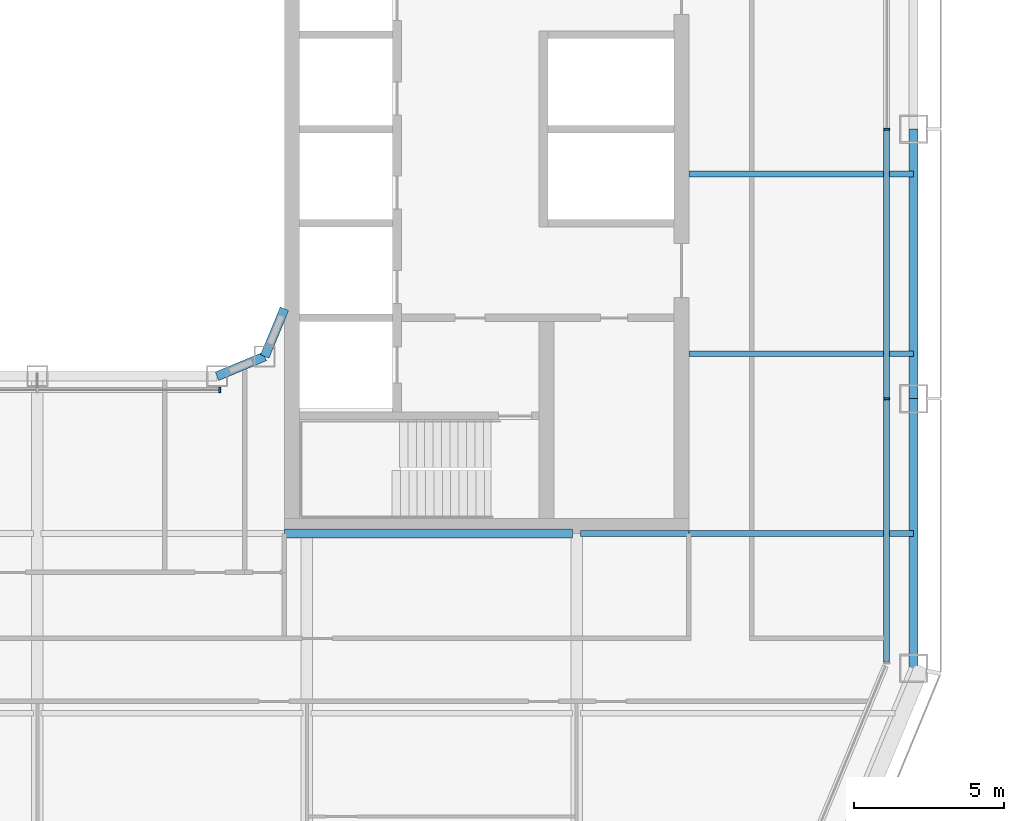
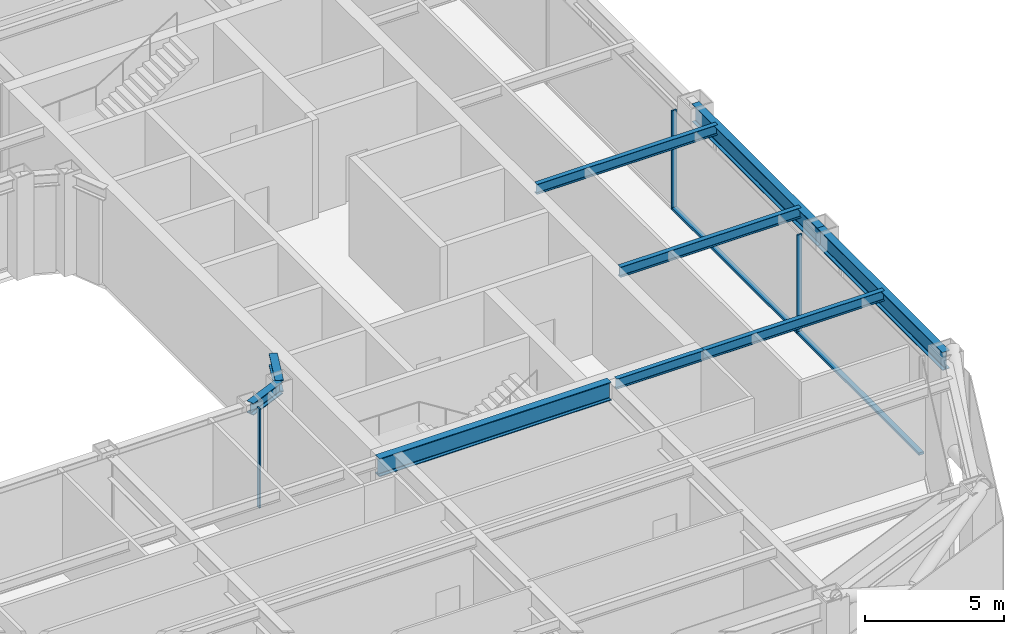
# One storey, part 5 of 24: 9 beams, 5 members, 2 elements without a shape of their own.
"""IFC4 building model written with IfcOpenShell, lengths in metres."""

from ifc_helpers import new_model, si_unit, direction, frame, origin, origin_2d, place, context, subcontext, project, spatial, rectangle, i_section, extrude, material, layer, layer_set, material_profile, profile_set, type_object, element, aggregate, save


model = new_model("IFC4")

# Units and contexts
model_context = context("Model", 3, precision=1e-05, world=origin(), true_north=direction((0.0, 1.0)))
body_context = subcontext(model_context, "Body", "Model", "MODEL_VIEW")
ifc_project = project(units=[si_unit("LENGTHUNIT", "METRE"), si_unit("AREAUNIT", "SQUARE_METRE"), si_unit("VOLUMEUNIT", "CUBIC_METRE"), si_unit("PLANEANGLEUNIT", "RADIAN"), si_unit("MASSUNIT", "GRAM", prefix="KILO")], contexts=[model_context])

# Site, building, storey
site_placement = place(None, origin())
site = spatial("IfcSite", under=ifc_project, at=site_placement, CompositionType="ELEMENT")
building_placement = place(site_placement, origin())
building = spatial("IfcBuilding", under=site, at=building_placement, Name="Siwar Civic Tower", CompositionType="ELEMENT")
storey_placement = place(building_placement, frame((0.0, 0.0, 113.699951171875)))
storey = spatial("IfcBuildingStorey", under=building, at=storey_placement, Name="L24", CompositionType="ELEMENT", Elevation=113.699951171875)

# Curtain wall, members
ifc_material_1 = material(Name="Aluminium and glass", Category="aluminium")
ifc_layer_1 = layer(ifc_material_1, 0.199951171875)
ifc_layer_set_1 = layer_set([ifc_layer_1], Name="Aluminium and glass")
curtain_wall_type_1 = type_object("IfcCurtainWallType", Name="ENV-CW-B", PredefinedType="NOTDEFINED", material=ifc_layer_set_1)
curtain_wall_1_placement = place(storey_placement, origin())
curtain_wall_1 = element("IfcCurtainWall", 1, at=curtain_wall_1_placement, inside=storey, type_object=curtain_wall_type_1, Name="Curtain wall B E", PredefinedType="NOTDEFINED")
ifc_material_2 = material(Name="Aluminium 6063-T6", Category="aluminium")
ifc_material_profile_1 = material_profile(ifc_material_2, rectangle(XDim=0.199951171875, YDim=0.06494140625, at=origin_2d()), Name="AL 200x65")
ifc_profile_set_1 = profile_set([ifc_material_profile_1], Name="Aluminium 6063-T6")
member_type_1 = type_object("IfcMemberType", Name="ENV-MULLION-B", PredefinedType="MULLION", material=ifc_profile_set_1)
member_1_placement = place(storey_placement, frame((28.35009765625, -9.0, 0.0), z_axis=(0.0, 0.0, 1.0), x_axis=(-1.0, 0.0, 0.0)))
member_1 = element("IfcMember", 2, at=member_1_placement, type_object=member_type_1, Name="Mullion B E 2", PredefinedType="MULLION", context=body_context, shape_type="SweptSolid", body=[
    extrude(rectangle(XDim=0.199951171875, YDim=0.06494140625, at=origin_2d()), origin(), (0.0, 0.0, 1.0), 4.35009765625),
])
member_2_placement = place(storey_placement, frame((28.35009765625, 0.0, 0.0), z_axis=(0.0, 0.0, 1.0), x_axis=(-1.0, 0.0, 0.0)))
member_2 = element("IfcMember", 3, at=member_2_placement, type_object=member_type_1, Name="Mullion B E 3", PredefinedType="MULLION", context=body_context, shape_type="SweptSolid", body=[
    extrude(rectangle(XDim=0.199951171875, YDim=0.06494140625, at=origin_2d()), origin(), (0.0, 0.0, 1.0), 4.35009765625),
])

# Curtain wall, member
ifc_material_3 = material(Name="Aluminium and glass", Category="aluminium")
ifc_layer_2 = layer(ifc_material_3, 0.179931640625)
ifc_layer_set_2 = layer_set([ifc_layer_2], Name="Aluminium and glass")
curtain_wall_type_2 = type_object("IfcCurtainWallType", Name="ENV-CW-W", PredefinedType="NOTDEFINED", material=ifc_layer_set_2)
curtain_wall_2_placement = place(storey_placement, origin())
curtain_wall_2 = element("IfcCurtainWall", 4, at=curtain_wall_2_placement, inside=storey, type_object=curtain_wall_type_2, Name="Curtain wall W WS", PredefinedType="NOTDEFINED")
ifc_material_4 = material(Name="Aluminium 6063-T6", Category="aluminium")
ifc_material_profile_2 = material_profile(ifc_material_4, rectangle(XDim=0.179931640625, YDim=0.06005859375, at=origin_2d()), Name="AL 180x60")
ifc_profile_set_2 = profile_set([ifc_material_profile_2], Name="Aluminium 6063-T6")
member_type_2 = type_object("IfcMemberType", Name="ENV-MULLION-W", PredefinedType="MULLION", material=ifc_profile_set_2)
member_3_placement = place(storey_placement, frame((6.091552734375, -8.7099609375, 0.0), z_axis=(0.0, 0.0, 1.0), x_axis=(0.0, 1.0, 0.0)))
member_3 = element("IfcMember", 5, at=member_3_placement, type_object=member_type_2, Name="Mullion W WS 3", PredefinedType="MULLION", context=body_context, shape_type="SweptSolid", body=[
    extrude(rectangle(XDim=0.179931640625, YDim=0.06005859375, at=origin_2d()), origin(), (0.0, 0.0, 1.0), 4.35009765625),
])
aggregate(curtain_wall_2, [member_3])

# Member
ifc_material_5 = material(Name="Aluminium 6063-T6", Category="aluminium")
ifc_material_profile_3 = material_profile(ifc_material_5, rectangle(XDim=0.199951171875, YDim=0.110107421875, at=origin_2d()), Name="AL 200x110")
ifc_profile_set_3 = profile_set([ifc_material_profile_3], Name="Aluminium 6063-T6")
member_type_3 = type_object("IfcMemberType", Name="ENV-TRANSOM-B", PredefinedType="USERDEFINED", material=ifc_profile_set_3)
member_4_placement = place(storey_placement, frame((28.35009765625, -17.78857421875, 0.054931640625), z_axis=(0.0, 1.0, 0.0), x_axis=(-1.0, 0.0, 0.0)))
member_4 = element("IfcMember", 6, at=member_4_placement, type_object=member_type_3, Name="Transom B E 1", ObjectType="TRANSOM", PredefinedType="USERDEFINED", context=body_context, shape_type="SweptSolid", body=[
    extrude(rectangle(XDim=0.199951171875, YDim=0.110107421875, at=origin_2d()), origin(), (0.0, 0.0, 1.0), 8.756103515625),
])

member_5_placement = place(storey_placement, frame((28.35009765625, -8.967529296875, 0.054931640625), z_axis=(0.0, 1.0, 0.0), x_axis=(-1.0, 0.0, 0.0)))
member_5 = element("IfcMember", 7, at=member_5_placement, type_object=member_type_3, Name="Transom B E 2", ObjectType="TRANSOM", PredefinedType="USERDEFINED", context=body_context, shape_type="SweptSolid", body=[
    extrude(rectangle(XDim=0.199951171875, YDim=0.110107421875, at=origin_2d()), origin(), (0.0, 0.0, 1.0), 8.93505859375),
])

aggregate(curtain_wall_1, [member_1, member_2, member_4, member_5])

# Beams
ifc_material_6 = material(Name="Steel S355", Category="steel")
ifc_material_profile_4 = material_profile(ifc_material_6, i_section(OverallWidth=0.18994140625, OverallDepth=0.449951171875, WebThickness=0.009521484375, FlangeThickness=0.0146484375, FilletRadius=0.02099609375, at=origin_2d()), Name="IPE450")
ifc_profile_set_4 = profile_set([ifc_material_profile_4], Name="Steel S355")
beam_type_1 = type_object("IfcBeamType", Name="STR-FB-IPE450", PredefinedType="JOIST", material=ifc_profile_set_4)
beam_1_placement = place(storey_placement, frame((18.1298828125, -13.5, 4.125), z_axis=(1.0, 0.0, 0.0), x_axis=(0.0, 1.0, 0.0)))
element("IfcBeam", 8, at=beam_1_placement, inside=storey, type_object=beam_type_1, Name="L24/bm/F019", PredefinedType="JOIST", context=body_context, shape_type="SweptSolid", body=[
    extrude(i_section(OverallWidth=0.18994140625, OverallDepth=0.449951171875, WebThickness=0.009521484375, FlangeThickness=0.0146484375, FilletRadius=0.02099609375, at=origin_2d()), origin(), (0.0, 0.0, 1.0), 3.6201171875),
])
for number, where, z_axis, x_axis, name in (
    (9, (21.75, -13.5, 4.125), (1.0, 0.0, 0.0), (0.0, 1.0, 0.0), "L24/bm/F020"),
    (10, (21.75, -7.5, 4.125), (1.0, 0.0, 0.0), (0.0, 1.0, 0.0), "L24/bm/F022"),
    (11, (21.75, -1.5, 4.125), (1.0, 0.0, 0.0), (0.0, 1.0, 0.0), "L24/bm/F024"),
):
    element("IfcBeam", number, at=place(storey_placement, frame(where, z_axis=z_axis, x_axis=x_axis)), inside=storey, type_object=beam_type_1, Name=name, PredefinedType="JOIST", context=body_context, shape_type="SweptSolid", body=[
        extrude(i_section(OverallWidth=0.18994140625, OverallDepth=0.449951171875, WebThickness=0.009521484375, FlangeThickness=0.0146484375, FilletRadius=0.02099609375, at=origin_2d()), origin(), (0.0, 0.0, 1.0), 7.5),
    ])
ifc_material_7 = material(Name="Steel S355", Category="steel")
ifc_material_profile_5 = material_profile(ifc_material_7, i_section(OverallWidth=0.300048828125, OverallDepth=0.800048828125, WebThickness=0.017578125, FlangeThickness=0.032958984375, FilletRadius=0.030029296875, at=origin_2d()), Name="HEB800")
ifc_profile_set_5 = profile_set([ifc_material_profile_5], Name="Steel S355")
beam_type_2 = type_object("IfcBeamType", Name="STR-PG-HEB800", PredefinedType="BEAM", material=ifc_profile_set_5)
beam_2_placement = place(storey_placement, frame((8.25, -13.5, 3.949951171875), z_axis=(1.0, 0.0, 0.0), x_axis=(0.0, 1.0, 0.0)))
element("IfcBeam", 12, at=beam_2_placement, inside=storey, type_object=beam_type_2, Name="L24/bm/F018", PredefinedType="BEAM", context=body_context, shape_type="SweptSolid", body=[
    extrude(i_section(OverallWidth=0.300048828125, OverallDepth=0.800048828125, WebThickness=0.017578125, FlangeThickness=0.032958984375, FilletRadius=0.030029296875, at=origin_2d()), origin(), (0.0, 0.0, 1.0), 9.6201171875),
])
ifc_material_8 = material(Name="Steel S355", Category="steel")
ifc_material_profile_6 = material_profile(ifc_material_8, i_section(OverallWidth=0.305908203125, OverallDepth=0.52392578125, WebThickness=0.02099609375, FlangeThickness=0.0400390625, FilletRadius=0.027099609375, at=origin_2d()), Name="HEM500")
ifc_profile_set_6 = profile_set([ifc_material_profile_6], Name="Steel S355")
beam_type_3 = type_object("IfcBeamType", Name="STR-RB-HEM500", PredefinedType="BEAM", material=ifc_profile_set_6)
for number, where, z_axis, x_axis, name in (
    (13, (6.0, -8.25, 4.088134765625), (0.923901072997, 0.382631424892, 0.0), (-0.382631424892, 0.923901072997, 0.0), "L24/bm/RS3"),
    (14, (7.591064453125, -7.591064453125, 4.088134765625), (0.382631424892, 0.923901072997, 0.0), (-0.923901072997, 0.382631424892, 0.0), "L24/bm/RSEE"),
):
    element("IfcBeam", number, at=place(storey_placement, frame(where, z_axis=z_axis, x_axis=x_axis)), inside=storey, type_object=beam_type_3, Name=name, PredefinedType="BEAM", context=body_context, shape_type="SweptSolid", body=[
        extrude(i_section(OverallWidth=0.305908203125, OverallDepth=0.52392578125, WebThickness=0.02099609375, FlangeThickness=0.0400390625, FilletRadius=0.027099609375, at=origin_2d()), origin(), (0.0, 0.0, 1.0), 1.72216796875),
    ])
ifc_material_9 = material(Name="Steel S355", Category="steel")
ifc_material_profile_7 = material_profile(ifc_material_9, i_section(OverallWidth=0.300048828125, OverallDepth=0.800048828125, WebThickness=0.017578125, FlangeThickness=0.032958984375, FilletRadius=0.030029296875, at=origin_2d()), Name="HEB800")
ifc_profile_set_7 = profile_set([ifc_material_profile_7], Name="Steel S355")
beam_type_4 = type_object("IfcBeamType", Name="STR-SB-HEB800", PredefinedType="BEAM", material=ifc_profile_set_7)
for number, where, z_axis, x_axis, name in (
    (15, (29.25, -18.0, 3.949951171875), (0.0, 1.0, 0.0), (-1.0, 0.0, 0.0), "L24/bm/SE-0"),
    (16, (29.25, -9.0, 3.949951171875), (0.0, 1.0, 0.0), (-1.0, 0.0, 0.0), "L24/bm/SE-1"),
):
    element("IfcBeam", number, at=place(storey_placement, frame(where, z_axis=z_axis, x_axis=x_axis)), inside=storey, type_object=beam_type_4, Name=name, PredefinedType="BEAM", context=body_context, shape_type="SweptSolid", body=[
        extrude(i_section(OverallWidth=0.300048828125, OverallDepth=0.800048828125, WebThickness=0.017578125, FlangeThickness=0.032958984375, FilletRadius=0.030029296875, at=origin_2d()), origin(), (0.0, 0.0, 1.0), 9.0),
    ])

save(model, "model.ifc")
